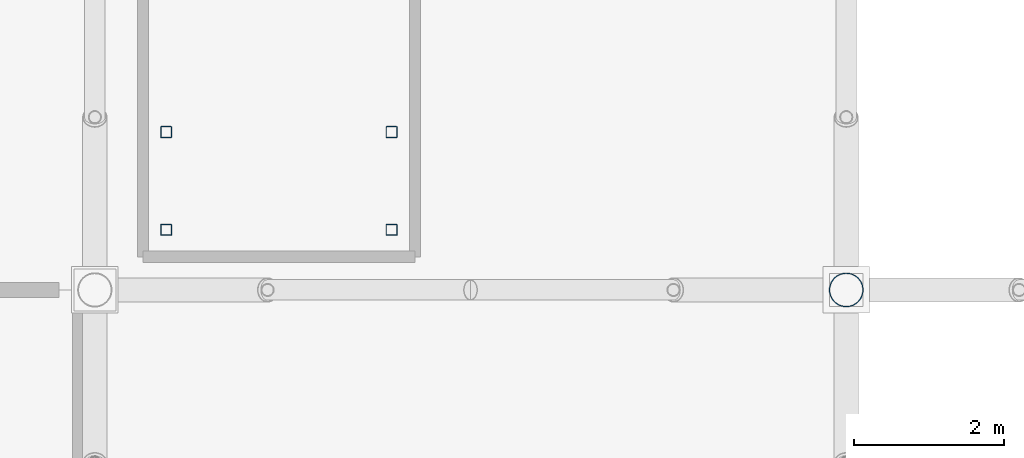
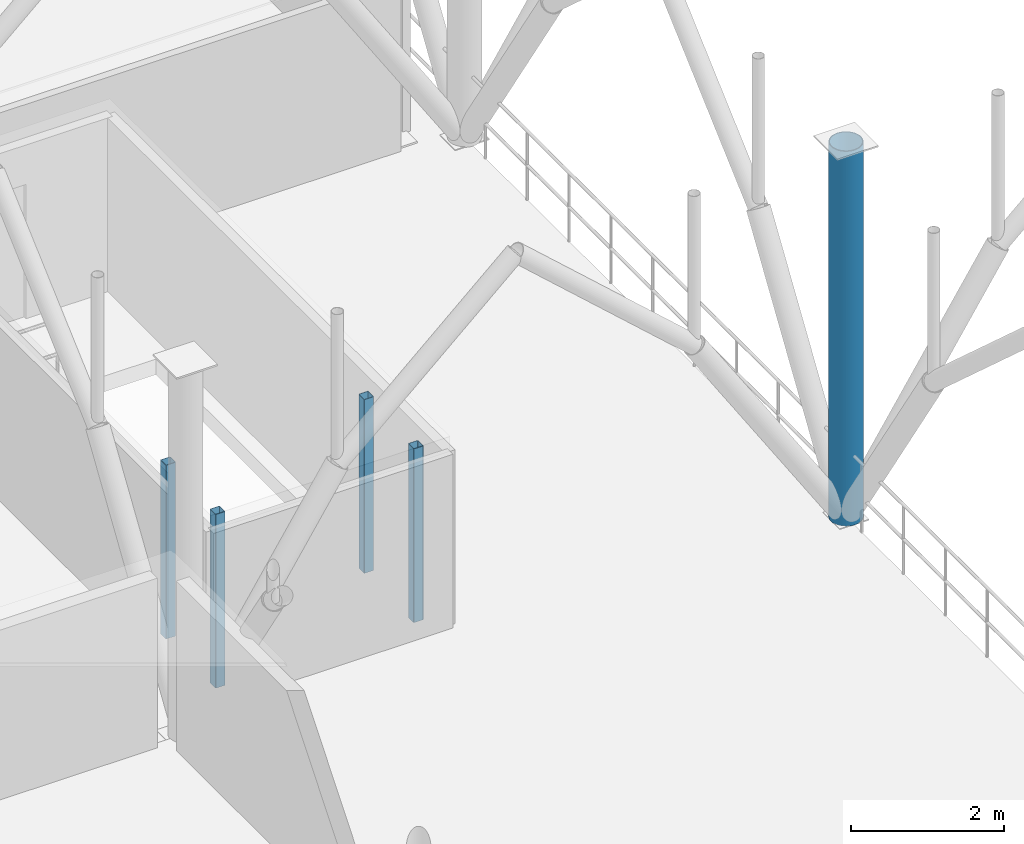
# One storey, part 2 of 109: 5 columns.
"""IFC4 building model written with IfcOpenShell, lengths in metres."""

from ifc_helpers import new_model, si_unit, derived_unit, direction, frame, origin, origin_2d_with_axis, place, context, subcontext, project, spatial, hollow_rectangle, hollow_circle, extrude, material, material_profile, profile_set, type_object, element, save


model = new_model("IFC4")

# Units and contexts
model_context = context("Model", 3, precision=1e-05, world=origin(), true_north=direction((0.0, 1.0)))
body_context = subcontext(model_context, "Body", "Model", "MODEL_VIEW")
ifc_project = project(units=[si_unit("LENGTHUNIT", "METRE"), si_unit("AREAUNIT", "SQUARE_METRE"), si_unit("VOLUMEUNIT", "CUBIC_METRE"), si_unit("PLANEANGLEUNIT", "RADIAN"), si_unit("MASSUNIT", "GRAM", prefix="KILO"), derived_unit("THERMALTRANSMITTANCEUNIT", [(si_unit("POWERUNIT", "WATT"), 1), (si_unit("LENGTHUNIT", "METRE"), -2), (si_unit("THERMODYNAMICTEMPERATUREUNIT", "KELVIN"), -1)])], contexts=[model_context])

# Site, building, storey
site_placement = place(None, origin())
site = spatial("IfcSite", under=ifc_project, at=site_placement, CompositionType="ELEMENT")
building_placement = place(site_placement, origin())
building = spatial("IfcBuilding", under=site, at=building_placement, Name="Cinnabar Yard Market Hall", CompositionType="ELEMENT")
storey_placement = place(building_placement, frame((0.0, 0.0, 8.39990234375)))
storey = spatial("IfcBuildingStorey", under=building, at=storey_placement, Name="L02", CompositionType="ELEMENT", Elevation=8.39990234375)

# Columns
ifc_material_1 = material(Name="Spotted-gum glulam-clad steel Grade 350 (350 MPa)", Category="steel")
ifc_material_profile_1 = material_profile(ifc_material_1, hollow_circle(Radius=0.228515625, WallThickness=0.0126953125, at=origin_2d_with_axis()), Name="457.0x12.7CHS")
ifc_profile_set_1 = profile_set([ifc_material_profile_1], Name="Spotted-gum glulam-clad steel Grade 350 (350 MPa)")
column_type_1 = type_object("IfcColumnType", Name="COL-C01", PredefinedType="COLUMN", material=ifc_profile_set_1)
column_placement = place(storey_placement, frame((86.0, 34.0, 0.0), z_axis=(0.0, 0.0, 1.0), x_axis=(1.0, 0.0, 0.0)))
element("IfcColumn", 1, at=column_placement, inside=storey, type_object=column_type_1, Name="Tree Column V1I-02-02 L02", PredefinedType="COLUMN", context=body_context, shape_type="SweptSolid", body=[
    extrude(hollow_circle(Radius=0.228515625, WallThickness=0.0126953125, at=origin_2d_with_axis()), origin(), (0.0, 0.0, 1.0), 6.0),
])
ifc_material_2 = material(Name="Cold-formed steel C350L0", Category="steel")
ifc_material_profile_2 = material_profile(ifc_material_2, hollow_rectangle(XDim=0.14990234375, YDim=0.14990234375, WallThickness=0.006103515625, InnerFilletRadius=0.006103515625, OuterFilletRadius=0.011962890625, at=origin_2d_with_axis()), Name="150x150x6.0SHS")
ifc_profile_set_2 = profile_set([ifc_material_profile_2], Name="Cold-formed steel C350L0")
column_type_2 = type_object("IfcColumnType", Name="COL-C16", PredefinedType="COLUMN", material=ifc_profile_set_2)
for number, where, z_axis, x_axis, name in (
    (2, (76.949951171875, 34.800048828125, 0.0), (0.0, 0.0, 1.0), (1.0, 0.0, 0.0), "Feature Stair Cap Post ST-F1-1"),
    (3, (79.949951171875, 34.800048828125, 0.0), (0.0, 0.0, 1.0), (1.0, 0.0, 0.0), "Feature Stair Cap Post ST-F1-2"),
    (4, (76.949951171875, 36.10009765625, 0.0), (0.0, 0.0, 1.0), (1.0, 0.0, 0.0), "Feature Stair Cap Post ST-F1-3"),
    (5, (79.949951171875, 36.10009765625, 0.0), (0.0, 0.0, 1.0), (1.0, 0.0, 0.0), "Feature Stair Cap Post ST-F1-4"),
):
    element("IfcColumn", number, at=place(storey_placement, frame(where, z_axis=z_axis, x_axis=x_axis)), inside=storey, type_object=column_type_2, Name=name, PredefinedType="COLUMN", context=body_context, shape_type="SweptSolid", body=[
        extrude(hollow_rectangle(XDim=0.14990234375, YDim=0.14990234375, WallThickness=0.006103515625, InnerFilletRadius=0.006103515625, OuterFilletRadius=0.011962890625, at=origin_2d_with_axis()), origin(), (0.0, 0.0, 1.0), 2.780029296875),
    ])

save(model, "model.ifc")
